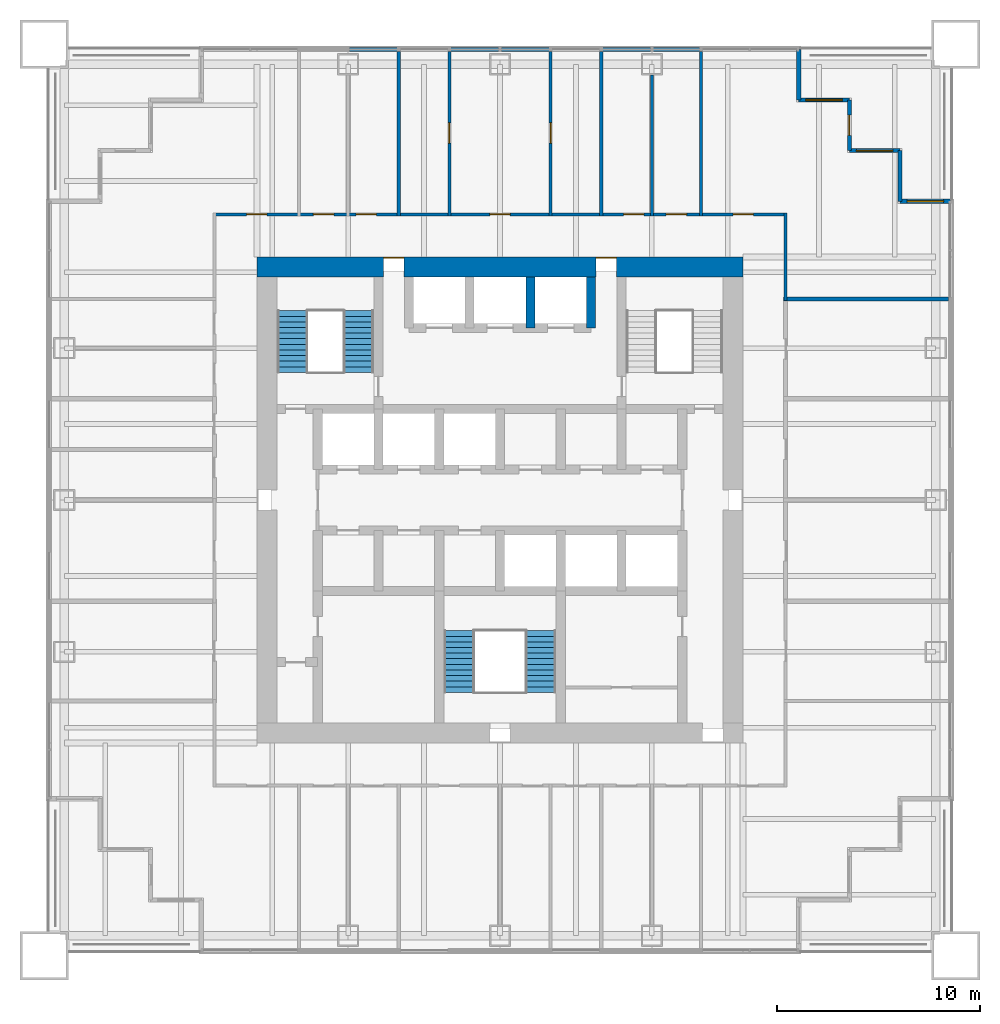
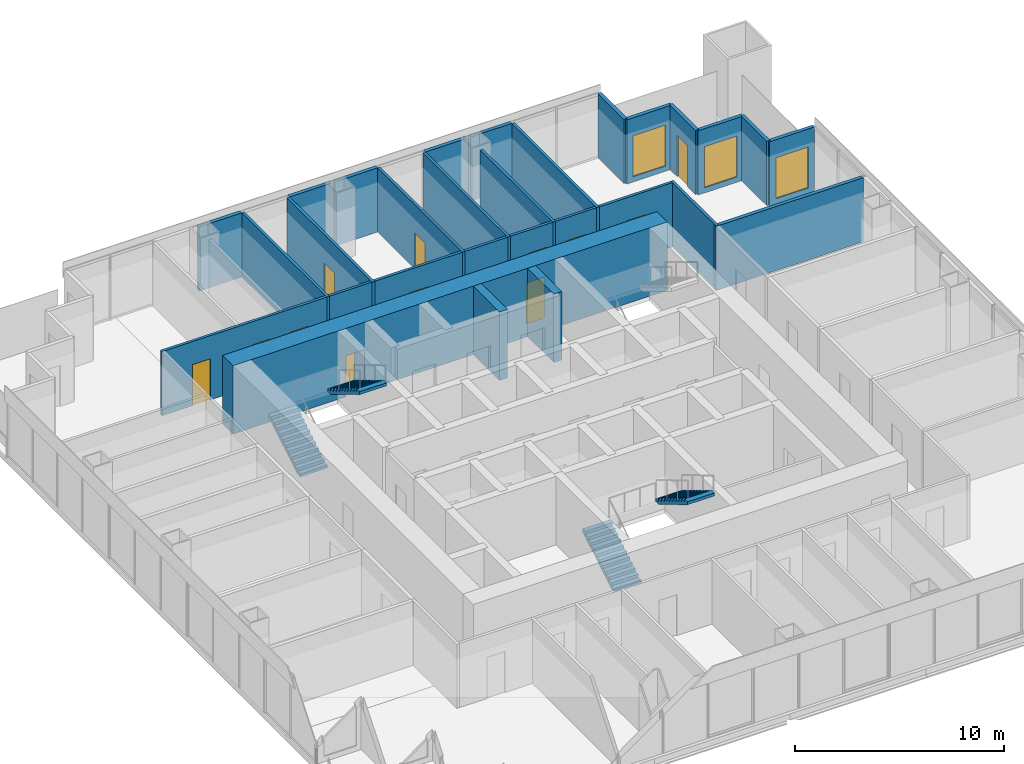
# One storey, part 11 of 14: 23 walls, 12 doors, 4 stair flights, 3 windows, 15 openings, 2 elements without a shape of their own.
"""IFC4 building model written with IfcOpenShell, lengths in metres."""

import ifcopenshell
import ifcopenshell.guid

model = None  # the IFC model being written
_history = None  # IfcOwnerHistory: only IFC2X3 demands one
_inside = {}  # id of a spatial element -> (the spatial element, [elements in it])
_under = {}  # id of a project, library or spatial element -> (it, [spatial elements below it])
_declared = {}  # id of a project -> (the project, [libraries it declares])
_typed = {}  # id of a type object -> (the type object, [elements of that type])
_made_of = {}  # id of a material, layer set ... -> (it, [elements and type objects made of it])


def new_model(schema):
    """Start an empty IFC model of exactly this schema.

    Asked for "IFC4X3", IfcOpenShell would pick the latest addendum, in which some entities
    have other attributes; the version numbers below select the first issue.
    IFC2X3 requires an IfcOwnerHistory on every rooted entity: one is made here for all.
    """
    global model, _history
    if schema == "IFC4X3":
        model = ifcopenshell.file(schema_version=(4, 3, 0, 0))
    else:
        model = ifcopenshell.file(schema=schema)
    _inside.clear()
    _under.clear()
    _declared.clear()
    _typed.clear()
    _made_of.clear()
    _history = None
    if model.schema == "IFC2X3":
        org = make("IfcOrganization", Name="unknown")
        user = make(
            "IfcPersonAndOrganization",
            ThePerson=make("IfcPerson", FamilyName="unknown"),
            TheOrganization=org,
        )
        app = make(
            "IfcApplication",
            ApplicationDeveloper=org,
            Version="unknown",
            ApplicationFullName="unknown",
            ApplicationIdentifier="unknown",
        )
        _history = make(
            "IfcOwnerHistory",
            OwningUser=user,
            OwningApplication=app,
            ChangeAction="ADDED",
            CreationDate=0,
        )
    return model


def make(cls, **values):
    """One entity of the class cls with the attributes given. An attribute that is None is left unset."""
    return model.create_entity(
        cls, **{name: value for name, value in values.items() if value is not None}
    )


def rooted(cls, **values):
    """An entity with a GlobalId (a new one), such as an element, a storey or a relation."""
    return make(cls, GlobalId=ifcopenshell.guid.new(), OwnerHistory=_history, **values)


def si_unit(unit_type, name, prefix=None):
    """IfcSIUnit, for example si_unit("LENGTHUNIT", "METRE", prefix="MILLI")."""
    return make("IfcSIUnit", UnitType=unit_type, Prefix=prefix, Name=name)


def assignment(units):
    """IfcUnitAssignment: the units of a project."""
    return None if units is None else make("IfcUnitAssignment", Units=units)


def point(xyz):
    """IfcCartesianPoint."""
    return None if xyz is None else make("IfcCartesianPoint", Coordinates=xyz)


def direction(xyz):
    """IfcDirection."""
    return None if xyz is None else make("IfcDirection", DirectionRatios=xyz)


def frame(location, z_axis=None, x_axis=None):
    """IfcAxis2Placement3D, a coordinate frame: its origin and axes. An axis left out is left unset."""
    return make(
        "IfcAxis2Placement3D",
        Location=point(location),
        Axis=direction(z_axis),
        RefDirection=direction(x_axis),
    )


def frame_2d(location, x_axis=None):
    """IfcAxis2Placement2D, a coordinate frame in the plane: its origin and x axis."""
    return make(
        "IfcAxis2Placement2D", Location=point(location), RefDirection=direction(x_axis)
    )


def origin():
    """The frame at (0, 0, 0) with its axes left unset."""
    return frame((0.0, 0.0, 0.0))


def place(relative_to, where):
    """IfcLocalPlacement: puts the frame where relative to a parent placement (None: the world)."""
    return make(
        "IfcLocalPlacement", PlacementRelTo=relative_to, RelativePlacement=where
    )


def context(
    kind, dimensions, precision=None, world=None, true_north=None, identifier=None
):
    """IfcGeometricRepresentationContext, for example the 3D "Model" context."""
    return make(
        "IfcGeometricRepresentationContext",
        ContextIdentifier=identifier,
        ContextType=kind,
        CoordinateSpaceDimension=dimensions,
        Precision=precision,
        WorldCoordinateSystem=world,
        TrueNorth=true_north,
    )


def subcontext(parent, identifier, kind, view, scale=None):
    """IfcGeometricRepresentationSubContext, for example "Body" below "Model"."""
    return make(
        "IfcGeometricRepresentationSubContext",
        ContextIdentifier=identifier,
        ContextType=kind,
        ParentContext=parent,
        TargetScale=scale,
        TargetView=view,
    )


def project(units=None, contexts=None):
    """IfcProject with its units and contexts."""
    return rooted(
        "IfcProject",
        Name="project",
        RepresentationContexts=contexts,
        UnitsInContext=assignment(units),
    )


def spatial(cls, under=None, at=None, **own):
    """A site, building, storey or space (cls), placed at a placement, below another one or the project."""
    s = rooted(cls, ObjectPlacement=at, **own)
    if under is not None:
        _under.setdefault(under.id(), (under, []))[1].append(s)
    return s


def polyline(points):
    """IfcPolyline through the points."""
    return make("IfcPolyline", Points=[point(p) for p in points])


def profile(cls, at=None, kind="AREA", **sizes):
    """A parametric profile (cls). Its sizes go by their IFC names, for example OverallWidth=200.0."""
    return make(cls, ProfileType=kind, Position=at, **sizes)


def rectangle(**sizes):
    """IfcRectangleProfileDef."""
    return profile("IfcRectangleProfileDef", **sizes)


def outline(outer, holes=None, kind="AREA"):
    """IfcArbitraryClosedProfileDef: a profile drawn as a closed curve; with holes, ...WithVoids."""
    if holes is None:
        return make("IfcArbitraryClosedProfileDef", ProfileType=kind, OuterCurve=outer)
    return make(
        "IfcArbitraryProfileDefWithVoids",
        ProfileType=kind,
        OuterCurve=outer,
        InnerCurves=holes,
    )


def extrude(swept, where, along, depth):
    """IfcExtrudedAreaSolid: the profile swept, set in the frame where, extruded along a direction by depth."""
    return make(
        "IfcExtrudedAreaSolid",
        SweptArea=swept,
        Position=where,
        ExtrudedDirection=direction(along),
        Depth=depth,
    )


def shape(context_of_items, identifier, shape_type, items):
    """IfcShapeRepresentation: the items that make up one representation, for example the "Body"."""
    return make(
        "IfcShapeRepresentation",
        ContextOfItems=context_of_items,
        RepresentationIdentifier=identifier,
        RepresentationType=shape_type,
        Items=items,
    )


def material(Name=None, Category=None):
    """IfcMaterial."""
    return make("IfcMaterial", Name=Name, Category=Category)


def layer(
    of_material, thickness, ventilated=None, Name=None, Category=None, Priority=None
):
    """IfcMaterialLayer: one layer of a wall or slab, of a material (None: an air gap)."""
    return make(
        "IfcMaterialLayer",
        Material=of_material,
        LayerThickness=thickness,
        IsVentilated=ventilated,
        Name=Name,
        Category=Category,
        Priority=Priority,
    )


def layer_set(layers, Name=None):
    """IfcMaterialLayerSet."""
    return make("IfcMaterialLayerSet", MaterialLayers=layers, LayerSetName=Name)


def made_of(thing, what):
    """Note that an element or type object is made of a material, layer set ...; save() writes the relation."""
    if what is not None:
        _made_of.setdefault(what.id(), (what, []))[1].append(thing)
    return thing


def type_object(cls, material=None, **own):
    """A type object (cls), such as IfcWallType, which elements share."""
    return made_of(rooted(cls, **own), material)


def element(
    cls,
    number,
    at=None,
    inside=None,
    cuts=None,
    type_object=None,
    material=None,
    context=None,
    identifier="Body",
    shape_type=None,
    held_by="IfcProductDefinitionShape",
    body=None,
    shapes=None,
    **own,
):
    """One element of the class cls, such as IfcWall. Its Tag is "e" and its number.

    at: its placement. inside: the storey or other place that contains it. cuts: it is an
    opening in that element (IfcRelVoidsElement). A single representation is given by context,
    identifier, shape_type and body (its items); several are given by shapes. held_by: the class
    of the entity that holds the representations. save() writes the other relations.
    """
    e = rooted(cls, Tag="e%d" % number, ObjectPlacement=at, **own)
    if body is not None:
        shapes = [shape(context, identifier, shape_type, body)]
    if shapes is not None:
        e.Representation = make(held_by, Representations=shapes)
    if inside is not None:
        _inside.setdefault(inside.id(), (inside, []))[1].append(e)
    if cuts is not None:
        rooted(
            "IfcRelVoidsElement", RelatingBuildingElement=cuts, RelatedOpeningElement=e
        )
    if type_object is not None:
        _typed.setdefault(type_object.id(), (type_object, []))[1].append(e)
    return made_of(e, material)


def fill(opening, filler):
    """IfcRelFillsElement: the door or window that sits in an opening."""
    return rooted(
        "IfcRelFillsElement",
        RelatingOpeningElement=opening,
        RelatedBuildingElement=filler,
    )


def aggregate(whole, parts):
    """IfcRelAggregates: a whole, such as a stair, and the parts it consists of."""
    return rooted("IfcRelAggregates", RelatingObject=whole, RelatedObjects=parts)


def save(model, path):
    """Write the relations noted so far, then the file.

    IfcRelAggregates (storeys below a building ...), IfcRelContainedInSpatialStructure (elements
    in a storey), IfcRelDefinesByType, IfcRelAssociatesMaterial and IfcRelDeclares: one each for
    every whole, place, type object, material and project.
    """
    for whole, parts in _under.values():
        aggregate(whole, parts)
    for where, things in _inside.values():
        rooted(
            "IfcRelContainedInSpatialStructure",
            RelatedElements=things,
            RelatingStructure=where,
        )
    for kind, things in _typed.values():
        rooted("IfcRelDefinesByType", RelatedObjects=things, RelatingType=kind)
    for what, things in _made_of.values():
        rooted("IfcRelAssociatesMaterial", RelatedObjects=things, RelatingMaterial=what)
    for by, libraries in _declared.values():
        rooted("IfcRelDeclares", RelatingContext=by, RelatedDefinitions=libraries)
    model.write(path)


model = new_model("IFC4")

# Units and contexts
model_context = context("Model", 3, precision=1e-05, world=origin(), true_north=direction((0.0, 1.0)))
body_context = subcontext(model_context, "Body", "Model", "MODEL_VIEW")
ifc_project = project(units=[si_unit("LENGTHUNIT", "METRE"), si_unit("AREAUNIT", "SQUARE_METRE"), si_unit("VOLUMEUNIT", "CUBIC_METRE"), si_unit("PLANEANGLEUNIT", "RADIAN"), si_unit("MASSUNIT", "GRAM", prefix="KILO")], contexts=[model_context])

# Site, building, storey
site_placement = place(None, origin())
site = spatial("IfcSite", under=ifc_project, at=site_placement, CompositionType="ELEMENT")
building_placement = place(site_placement, origin())
building = spatial("IfcBuilding", under=site, at=building_placement, Name="Tarangal Relay Tower", CompositionType="ELEMENT")
storey_placement = place(building_placement, frame((0.0, 0.0, 249.89990234375)))
storey = spatial("IfcBuildingStorey", under=building, at=storey_placement, Name="L54", CompositionType="ELEMENT", Elevation=249.89990234375)

# Walls
ifc_material_1 = material(Name="Two layers gypsum board each side on twin steel studs, mineral wool", Category="steel")
ifc_layer_1 = layer(ifc_material_1, 0.199951171875)
ifc_layer_set_1 = layer_set([ifc_layer_1], Name="Acoustic partition 200")
wall_type_1 = type_object("IfcWallType", Name="Acoustic partition 200", PredefinedType="PARTITIONING", material=ifc_layer_set_1)
wall_1_placement = place(storey_placement, frame((14.0, 9.9169921875, 0.0), z_axis=(0.0, 0.0, 1.0), x_axis=(1.0, 0.0, 0.0)))
element("IfcWall", 1, at=wall_1_placement, inside=storey, type_object=wall_type_1, Name="Partition PT2 L54", PredefinedType="PARTITIONING", context=body_context, shape_type="SweptSolid", body=[
    extrude(rectangle(XDim=8.14990234375, YDim=0.199951171875, at=frame_2d((4.074951171875, 0.0))), origin(), (0.0, 0.0, 1.0), 3.75),
])
ifc_material_2 = material(Name="Concrete fc' 60 MPa", Category="concrete")
ifc_layer_2 = layer(ifc_material_2, 0.449951171875)
ifc_layer_set_2 = layer_set([ifc_layer_2], Name="Core inner wall 450")
wall_type_2 = type_object("IfcWallType", Name="Core inner wall 450", PredefinedType="SHEAR", material=ifc_layer_set_2)
for number, where, z_axis, x_axis, name in (
    (2, (4.5, 8.5, 0.0), (0.0, 0.0, 1.0), (0.0, 1.0, 0.0), "Core wall X45 L54"),
    (3, (1.5, 8.5, 0.0), (0.0, 0.0, 1.0), (0.0, 1.0, 0.0), "Core wall X15 L54"),
):
    element("IfcWall", number, at=place(storey_placement, frame(where, z_axis=z_axis, x_axis=x_axis)), inside=storey, type_object=wall_type_2, Name=name, PredefinedType="SHEAR", context=body_context, shape_type="SweptSolid", body=[
        extrude(rectangle(XDim=2.5, YDim=0.449951171875, at=frame_2d((1.25, 0.0))), origin(), (0.0, 0.0, 1.0), 4.0),
    ])

# Wall, openings, doors
ifc_layer_3 = layer(ifc_material_2, 1.0)
ifc_layer_set_3 = layer_set([ifc_layer_3], Name="Core wall 1000")
wall_type_3 = type_object("IfcWallType", Name="Core wall 1000", PredefinedType="SHEAR", material=ifc_layer_set_3)
wall_2_placement = place(storey_placement, frame((-12.0, 11.5, 0.0), z_axis=(0.0, 0.0, 1.0), x_axis=(1.0, 0.0, 0.0)))
wall_2 = element("IfcWall", 4, at=wall_2_placement, inside=storey, type_object=wall_type_3, Name="Core wall N L54", PredefinedType="SHEAR", context=body_context, shape_type="SweptSolid", body=[
    extrude(rectangle(XDim=24.0, YDim=1.0, at=frame_2d((12.0, 0.0))), origin(), (0.0, 0.0, 1.0), 4.0),
])
opening_1_placement = place(wall_2_placement, frame((6.25, 0.0, 0.0)))
opening_1 = element("IfcOpeningElement", 5, at=opening_1_placement, cuts=wall_2, Name="Opening FD3", PredefinedType="OPENING", context=body_context, shape_type="SweptSolid", body=[
    extrude(rectangle(XDim=1.0, YDim=2.39990234375, at=frame_2d((0.5, 1.199951171875))), frame((0.0, 0.510009765625, 0.0), z_axis=(0.0, -1.0, 0.0), x_axis=(1.0, 0.0, 0.0)), (0.0, 0.0, 1.0), 1.02001953125),
])
opening_2_placement = place(wall_2_placement, frame((16.75, 0.0, 0.0)))
opening_2 = element("IfcOpeningElement", 6, at=opening_2_placement, cuts=wall_2, Name="Opening FD3", PredefinedType="OPENING", context=body_context, shape_type="SweptSolid", body=[
    extrude(rectangle(XDim=1.0, YDim=2.39990234375, at=frame_2d((0.5, 1.199951171875))), frame((0.0, 0.510009765625, 0.0), z_axis=(0.0, -1.0, 0.0), x_axis=(1.0, 0.0, 0.0)), (0.0, 0.0, 1.0), 1.02001953125),
])
ifc_material_3 = material(Name="Steel door with hardwood frame", Category="steel")
door_type_1 = type_object("IfcDoorType", Name="Fire door 1000 x 2400 core entry", OperationType="SINGLE_SWING_RIGHT", PredefinedType="DOOR", material=ifc_material_3)
door_1_placement = place(opening_1_placement, origin())
door_1 = element("IfcDoor", 7, at=door_1_placement, inside=storey, type_object=door_type_1, Name="Core entry door north west L54", OperationType="SINGLE_SWING_RIGHT", OverallHeight=2.39990234375, OverallWidth=1.0, PredefinedType="DOOR", context=body_context, shape_type="SweptSolid", body=[
    extrude(rectangle(XDim=1.0, YDim=2.39990234375, at=frame_2d((0.5, 1.199951171875))), frame((0.0, 0.48486328125, 0.0), z_axis=(0.0, -1.0, 0.0), x_axis=(1.0, 0.0, 0.0)), (0.0, 0.0, 1.0), 0.050048828125),
])
fill(opening_1, door_1)
door_2_placement = place(opening_2_placement, origin())
door_2 = element("IfcDoor", 8, at=door_2_placement, inside=storey, type_object=door_type_1, Name="Core entry door north east L54", OperationType="SINGLE_SWING_RIGHT", OverallHeight=2.39990234375, OverallWidth=1.0, PredefinedType="DOOR", context=body_context, shape_type="SweptSolid", body=[
    extrude(rectangle(XDim=1.0, YDim=2.39990234375, at=frame_2d((0.5, 1.199951171875))), frame((0.0, 0.48486328125, 0.0), z_axis=(0.0, -1.0, 0.0), x_axis=(1.0, 0.0, 0.0)), (0.0, 0.0, 1.0), 0.050048828125),
])
fill(opening_2, door_2)

# Wall
ifc_material_4 = material(Name="Black metal clad insulated wall", Category="steel")
ifc_layer_4 = layer(ifc_material_4, 0.199951171875)
ifc_layer_set_4 = layer_set([ifc_layer_4], Name="Corner wall metal clad 200")
wall_type_4 = type_object("IfcWallType", Name="Corner wall metal clad 200", PredefinedType="SOLIDWALL", material=ifc_layer_set_4)
wall_3_placement = place(storey_placement, frame((14.75, 22.25, 0.0), z_axis=(0.0, 0.0, 1.0), x_axis=(0.0, -1.0, 0.0)))
element("IfcWall", 9, at=wall_3_placement, inside=storey, type_object=wall_type_4, Name="Facade wall N facade L54", PredefinedType="SOLIDWALL", context=body_context, shape_type="SweptSolid", body=[
    extrude(rectangle(XDim=2.5, YDim=0.199951171875, at=frame_2d((1.25, 0.0))), origin(), (0.0, 0.0, 1.0), 3.75),
])

# Wall, opening, window
wall_4_placement = place(storey_placement, frame((14.75, 19.75, 0.0), z_axis=(0.0, 0.0, 1.0), x_axis=(1.0, 0.0, 0.0)))
wall_4 = element("IfcWall", 10, at=wall_4_placement, inside=storey, type_object=wall_type_4, Name="Facade wall N facade L54", PredefinedType="SOLIDWALL", context=body_context, shape_type="SweptSolid", body=[
    extrude(rectangle(XDim=2.5, YDim=0.199951171875, at=frame_2d((1.25, 0.0))), origin(), (0.0, 0.0, 1.0), 3.75),
])
opening_3_placement = place(wall_4_placement, frame((0.35009765625, 0.0, 0.300048828125)))
opening_3 = element("IfcOpeningElement", 11, at=opening_3_placement, cuts=wall_4, Name="Opening WN2", PredefinedType="OPENING", context=body_context, shape_type="SweptSolid", body=[
    extrude(rectangle(XDim=1.800048828125, YDim=2.39990234375, at=frame_2d((0.89990234375, 1.199951171875))), frame((0.0, 0.10986328125, 0.0), z_axis=(0.0, -1.0, 0.0), x_axis=(1.0, 0.0, 0.0)), (0.0, 0.0, 1.0), 0.219970703125),
])
ifc_material_5 = material(Name="Dark tinted double glazing in black aluminium frame", Category="aluminium")
window_type = type_object("IfcWindowType", Name="Corner window 1800 x 2400", PartitioningType="SINGLE_PANEL", PredefinedType="WINDOW", material=ifc_material_5)
window_1_placement = place(opening_3_placement, origin())
window_1 = element("IfcWindow", 12, at=window_1_placement, inside=storey, type_object=window_type, Name="Corner window WN2 N facade L54", OverallHeight=2.39990234375, OverallWidth=1.800048828125, PartitioningType="SINGLE_PANEL", PredefinedType="WINDOW", context=body_context, shape_type="SweptSolid", body=[
    extrude(rectangle(XDim=1.800048828125, YDim=2.39990234375, at=frame_2d((0.89990234375, 1.199951171875))), frame((0.0, 0.030029296875, 0.0), z_axis=(0.0, -1.0, 0.0), x_axis=(1.0, 0.0, 0.0)), (0.0, 0.0, 1.0), 0.06005859375),
])
fill(opening_3, window_1)

# Wall, opening, door
wall_5_placement = place(storey_placement, frame((17.25, 19.75, 0.0), z_axis=(0.0, 0.0, 1.0), x_axis=(0.0, -1.0, 0.0)))
wall_5 = element("IfcWall", 13, at=wall_5_placement, inside=storey, type_object=wall_type_4, Name="Facade wall N facade L54", PredefinedType="SOLIDWALL", context=body_context, shape_type="SweptSolid", body=[
    extrude(rectangle(XDim=2.5, YDim=0.199951171875, at=frame_2d((1.25, 0.0))), origin(), (0.0, 0.0, 1.0), 3.75),
])
opening_4_placement = place(wall_5_placement, frame((0.75, 0.0, 0.0)))
opening_4 = element("IfcOpeningElement", 14, at=opening_4_placement, cuts=wall_5, Name="Opening TD1", PredefinedType="OPENING", context=body_context, shape_type="SweptSolid", body=[
    extrude(rectangle(XDim=1.0, YDim=2.39990234375, at=frame_2d((0.5, 1.199951171875))), frame((0.0, 0.10986328125, 0.0), z_axis=(0.0, -1.0, 0.0), x_axis=(1.0, 0.0, 0.0)), (0.0, 0.0, 1.0), 0.219970703125),
])
ifc_material_6 = material(Name="Aluminium glazed door", Category="aluminium")
door_type_2 = type_object("IfcDoorType", Name="Terrace door 1000 x 2400", OperationType="SINGLE_SWING_RIGHT", PredefinedType="DOOR", material=ifc_material_6)
door_3_placement = place(opening_4_placement, origin())
door_3 = element("IfcDoor", 15, at=door_3_placement, inside=storey, type_object=door_type_2, Name="Terrace door TD1 NE L54", OperationType="SINGLE_SWING_RIGHT", OverallHeight=2.39990234375, OverallWidth=1.0, PredefinedType="DOOR", context=body_context, shape_type="SweptSolid", body=[
    extrude(rectangle(XDim=1.0, YDim=2.39990234375, at=frame_2d((0.5, 1.199951171875))), frame((0.0, 0.02490234375, 0.0), z_axis=(0.0, -1.0, 0.0), x_axis=(1.0, 0.0, 0.0)), (0.0, 0.0, 1.0), 0.050048828125),
])
fill(opening_4, door_3)

# Wall, opening, window
wall_6_placement = place(storey_placement, frame((17.25, 17.25, 0.0), z_axis=(0.0, 0.0, 1.0), x_axis=(1.0, 0.0, 0.0)))
wall_6 = element("IfcWall", 16, at=wall_6_placement, inside=storey, type_object=wall_type_4, Name="Facade wall N facade L54", PredefinedType="SOLIDWALL", context=body_context, shape_type="SweptSolid", body=[
    extrude(rectangle(XDim=2.5, YDim=0.199951171875, at=frame_2d((1.25, 0.0))), origin(), (0.0, 0.0, 1.0), 3.75),
])
opening_5_placement = place(wall_6_placement, frame((0.35009765625, 0.0, 0.300048828125)))
opening_5 = element("IfcOpeningElement", 17, at=opening_5_placement, cuts=wall_6, Name="Opening WN2", PredefinedType="OPENING", context=body_context, shape_type="SweptSolid", body=[
    extrude(rectangle(XDim=1.800048828125, YDim=2.39990234375, at=frame_2d((0.89990234375, 1.199951171875))), frame((0.0, 0.10986328125, 0.0), z_axis=(0.0, -1.0, 0.0), x_axis=(1.0, 0.0, 0.0)), (0.0, 0.0, 1.0), 0.219970703125),
])
window_2_placement = place(opening_5_placement, origin())
window_2 = element("IfcWindow", 18, at=window_2_placement, inside=storey, type_object=window_type, Name="Corner window WN2 N facade L54", OverallHeight=2.39990234375, OverallWidth=1.800048828125, PartitioningType="SINGLE_PANEL", PredefinedType="WINDOW", context=body_context, shape_type="SweptSolid", body=[
    extrude(rectangle(XDim=1.800048828125, YDim=2.39990234375, at=frame_2d((0.89990234375, 1.199951171875))), frame((0.0, 0.030029296875, 0.0), z_axis=(0.0, -1.0, 0.0), x_axis=(1.0, 0.0, 0.0)), (0.0, 0.0, 1.0), 0.06005859375),
])
fill(opening_5, window_2)

# Wall
wall_7_placement = place(storey_placement, frame((19.75, 17.25, 0.0), z_axis=(0.0, 0.0, 1.0), x_axis=(0.0, -1.0, 0.0)))
element("IfcWall", 19, at=wall_7_placement, inside=storey, type_object=wall_type_4, Name="Facade wall N facade L54", PredefinedType="SOLIDWALL", context=body_context, shape_type="SweptSolid", body=[
    extrude(rectangle(XDim=2.5, YDim=0.199951171875, at=frame_2d((1.25, 0.0))), origin(), (0.0, 0.0, 1.0), 3.75),
])

# Wall, opening, window
wall_8_placement = place(storey_placement, frame((19.75, 14.75, 0.0), z_axis=(0.0, 0.0, 1.0), x_axis=(1.0, 0.0, 0.0)))
wall_8 = element("IfcWall", 20, at=wall_8_placement, inside=storey, type_object=wall_type_4, Name="Facade wall N facade L54", PredefinedType="SOLIDWALL", context=body_context, shape_type="SweptSolid", body=[
    extrude(rectangle(XDim=2.5, YDim=0.199951171875, at=frame_2d((1.25, 0.0))), origin(), (0.0, 0.0, 1.0), 3.75),
])
opening_6_placement = place(wall_8_placement, frame((0.35009765625, 0.0, 0.300048828125)))
opening_6 = element("IfcOpeningElement", 21, at=opening_6_placement, cuts=wall_8, Name="Opening WN2", PredefinedType="OPENING", context=body_context, shape_type="SweptSolid", body=[
    extrude(rectangle(XDim=1.800048828125, YDim=2.39990234375, at=frame_2d((0.89990234375, 1.199951171875))), frame((0.0, 0.10986328125, 0.0), z_axis=(0.0, -1.0, 0.0), x_axis=(1.0, 0.0, 0.0)), (0.0, 0.0, 1.0), 0.219970703125),
])
window_3_placement = place(opening_6_placement, origin())
window_3 = element("IfcWindow", 22, at=window_3_placement, inside=storey, type_object=window_type, Name="Corner window WN2 N facade L54", OverallHeight=2.39990234375, OverallWidth=1.800048828125, PartitioningType="SINGLE_PANEL", PredefinedType="WINDOW", context=body_context, shape_type="SweptSolid", body=[
    extrude(rectangle(XDim=1.800048828125, YDim=2.39990234375, at=frame_2d((0.89990234375, 1.199951171875))), frame((0.0, 0.030029296875, 0.0), z_axis=(0.0, -1.0, 0.0), x_axis=(1.0, 0.0, 0.0)), (0.0, 0.0, 1.0), 0.06005859375),
])
fill(opening_6, window_3)

# Walls
ifc_layer_5 = layer(ifc_material_4, 0.199951171875)
ifc_layer_set_5 = layer_set([ifc_layer_5], Name="Facade infill wall metal clad 200")
wall_type_5 = type_object("IfcWallType", Name="Facade infill wall metal clad 200", PredefinedType="SOLIDWALL", material=ifc_layer_set_5)
for number, where, z_axis, x_axis, name in (
    (23, (-7.43505859375, 22.25, 0.0), (0.0, 0.0, 1.0), (1.0, 0.0, 0.0), "Facade infill wall N facade L54 1.1"),
    (24, (-2.43505859375, 22.25, 0.0), (0.0, 0.0, 1.0), (1.0, 0.0, 0.0), "Facade infill wall N facade L54 1.1"),
    (25, (0.06494140625, 22.25, 0.0), (0.0, 0.0, 1.0), (1.0, 0.0, 0.0), "Facade infill wall N facade L54 1.1"),
    (26, (5.06494140625, 22.25, 0.0), (0.0, 0.0, 1.0), (1.0, 0.0, 0.0), "Facade infill wall N facade L54 1.1"),
):
    element("IfcWall", number, at=place(storey_placement, frame(where, z_axis=z_axis, x_axis=x_axis)), inside=storey, type_object=wall_type_5, Name=name, PredefinedType="SOLIDWALL", context=body_context, shape_type="SweptSolid", body=[
        extrude(rectangle(XDim=2.3701171875, YDim=0.199951171875, at=frame_2d((1.18505859375, 0.0))), origin(), (0.0, 0.0, 1.0), 3.75),
    ])
wall_9_placement = place(storey_placement, frame((7.56494140625, 22.25, 0.0), z_axis=(0.0, 0.0, 1.0), x_axis=(1.0, 0.0, 0.0)))
element("IfcWall", 27, at=wall_9_placement, inside=storey, type_object=wall_type_5, Name="Facade infill wall N facade L54 1.1", PredefinedType="SOLIDWALL", context=body_context, shape_type="SweptSolid", body=[
    extrude(rectangle(XDim=2.286865234375, YDim=0.199951171875, at=frame_2d((1.1435546875, 0.0))), origin(), (0.0, 0.0, 1.0), 3.75),
])

# Wall, openings, doors
ifc_material_7 = material(Name="Gypsum board on steel studs", Category="steel")
ifc_layer_6 = layer(ifc_material_7, 0.14990234375)
ifc_layer_set_6 = layer_set([ifc_layer_6], Name="Partition 150")
wall_type_6 = type_object("IfcWallType", Name="Partition 150", PredefinedType="PARTITIONING", material=ifc_layer_set_6)
wall_10_placement = place(storey_placement, frame((-14.175048828125, 14.10009765625, 0.0), z_axis=(0.0, 0.0, 1.0), x_axis=(1.0, 0.0, 0.0)))
wall_10 = element("IfcWall", 28, at=wall_10_placement, inside=storey, type_object=wall_type_6, Name="Partition PT1 L54", PredefinedType="PARTITIONING", context=body_context, shape_type="SweptSolid", body=[
    extrude(rectangle(XDim=28.35009765625, YDim=0.14990234375, at=frame_2d((14.175048828125, 0.0))), origin(), (0.0, 0.0, 1.0), 3.75),
])
opening_7_placement = place(wall_10_placement, frame((4.966552734375, 0.0, 0.0)))
opening_7 = element("IfcOpeningElement", 29, at=opening_7_placement, cuts=wall_10, Name="Opening SD1", PredefinedType="OPENING", context=body_context, shape_type="SweptSolid", body=[
    extrude(rectangle(XDim=1.0, YDim=2.39990234375, at=frame_2d((0.5, 1.199951171875))), frame((0.0, 0.0849609375, 0.0), z_axis=(0.0, -1.0, 0.0), x_axis=(1.0, 0.0, 0.0)), (0.0, 0.0, 1.0), 0.169921875),
])
opening_8_placement = place(wall_10_placement, frame((7.074951171875, 0.0, 0.0)))
opening_8 = element("IfcOpeningElement", 30, at=opening_8_placement, cuts=wall_10, Name="Opening SD1", PredefinedType="OPENING", context=body_context, shape_type="SweptSolid", body=[
    extrude(rectangle(XDim=1.0, YDim=2.39990234375, at=frame_2d((0.5, 1.199951171875))), frame((0.0, 0.0849609375, 0.0), z_axis=(0.0, -1.0, 0.0), x_axis=(1.0, 0.0, 0.0)), (0.0, 0.0, 1.0), 0.169921875),
])
opening_9_placement = place(wall_10_placement, frame((13.675048828125, 0.0, 0.0)))
opening_9 = element("IfcOpeningElement", 31, at=opening_9_placement, cuts=wall_10, Name="Opening SD1", PredefinedType="OPENING", context=body_context, shape_type="SweptSolid", body=[
    extrude(rectangle(XDim=1.0, YDim=2.39990234375, at=frame_2d((0.5, 1.199951171875))), frame((0.0, 0.0849609375, 0.0), z_axis=(0.0, -1.0, 0.0), x_axis=(1.0, 0.0, 0.0)), (0.0, 0.0, 1.0), 0.169921875),
])
opening_10_placement = place(wall_10_placement, frame((20.27490234375, 0.0, 0.0)))
opening_10 = element("IfcOpeningElement", 32, at=opening_10_placement, cuts=wall_10, Name="Opening SD1", PredefinedType="OPENING", context=body_context, shape_type="SweptSolid", body=[
    extrude(rectangle(XDim=1.0, YDim=2.39990234375, at=frame_2d((0.5, 1.199951171875))), frame((0.0, 0.0849609375, 0.0), z_axis=(0.0, -1.0, 0.0), x_axis=(1.0, 0.0, 0.0)), (0.0, 0.0, 1.0), 0.169921875),
])
opening_11_placement = place(wall_10_placement, frame((22.383544921875, 0.0, 0.0)))
opening_11 = element("IfcOpeningElement", 33, at=opening_11_placement, cuts=wall_10, Name="Opening SD1", PredefinedType="OPENING", context=body_context, shape_type="SweptSolid", body=[
    extrude(rectangle(XDim=1.0, YDim=2.39990234375, at=frame_2d((0.5, 1.199951171875))), frame((0.0, 0.0849609375, 0.0), z_axis=(0.0, -1.0, 0.0), x_axis=(1.0, 0.0, 0.0)), (0.0, 0.0, 1.0), 0.169921875),
])
opening_12_placement = place(wall_10_placement, frame((25.68359375, 0.0, 0.0)))
opening_12 = element("IfcOpeningElement", 34, at=opening_12_placement, cuts=wall_10, Name="Opening SD1", PredefinedType="OPENING", context=body_context, shape_type="SweptSolid", body=[
    extrude(rectangle(XDim=1.0, YDim=2.39990234375, at=frame_2d((0.5, 1.199951171875))), frame((0.0, 0.0849609375, 0.0), z_axis=(0.0, -1.0, 0.0), x_axis=(1.0, 0.0, 0.0)), (0.0, 0.0, 1.0), 0.169921875),
])
opening_13_placement = place(wall_10_placement, frame((1.66650390625, 0.0, 0.0)))
opening_13 = element("IfcOpeningElement", 35, at=opening_13_placement, cuts=wall_10, Name="Opening SD1", PredefinedType="OPENING", context=body_context, shape_type="SweptSolid", body=[
    extrude(rectangle(XDim=1.0, YDim=2.39990234375, at=frame_2d((0.5, 1.199951171875))), frame((0.0, 0.0849609375, 0.0), z_axis=(0.0, -1.0, 0.0), x_axis=(1.0, 0.0, 0.0)), (0.0, 0.0, 1.0), 0.169921875),
])
door_type_3 = type_object("IfcDoorType", Name="Suite entrance door 1000 x 2400", OperationType="SINGLE_SWING_RIGHT", PredefinedType="DOOR", material=ifc_material_3)
door_4_placement = place(opening_7_placement, origin())
door_4 = element("IfcDoor", 36, at=door_4_placement, inside=storey, type_object=door_type_3, Name="Door SD1 to executive office L54-02", OperationType="SINGLE_SWING_RIGHT", OverallHeight=2.39990234375, OverallWidth=1.0, PredefinedType="DOOR", context=body_context, shape_type="SweptSolid", body=[
    extrude(rectangle(XDim=1.0, YDim=2.39990234375, at=frame_2d((0.5, 1.199951171875))), frame((0.0, 0.02490234375, 0.0), z_axis=(0.0, -1.0, 0.0), x_axis=(1.0, 0.0, 0.0)), (0.0, 0.0, 1.0), 0.050048828125),
])
fill(opening_7, door_4)
door_5_placement = place(opening_8_placement, origin())
door_5 = element("IfcDoor", 37, at=door_5_placement, inside=storey, type_object=door_type_3, Name="Door SD1 to executive office L54-03", OperationType="SINGLE_SWING_RIGHT", OverallHeight=2.39990234375, OverallWidth=1.0, PredefinedType="DOOR", context=body_context, shape_type="SweptSolid", body=[
    extrude(rectangle(XDim=1.0, YDim=2.39990234375, at=frame_2d((0.5, 1.199951171875))), frame((0.0, 0.02490234375, 0.0), z_axis=(0.0, -1.0, 0.0), x_axis=(1.0, 0.0, 0.0)), (0.0, 0.0, 1.0), 0.050048828125),
])
fill(opening_8, door_5)
door_6_placement = place(opening_9_placement, origin())
door_6 = element("IfcDoor", 38, at=door_6_placement, inside=storey, type_object=door_type_3, Name="Door SD1 to reception L54-05", OperationType="SINGLE_SWING_RIGHT", OverallHeight=2.39990234375, OverallWidth=1.0, PredefinedType="DOOR", context=body_context, shape_type="SweptSolid", body=[
    extrude(rectangle(XDim=1.0, YDim=2.39990234375, at=frame_2d((0.5, 1.199951171875))), frame((0.0, 0.02490234375, 0.0), z_axis=(0.0, -1.0, 0.0), x_axis=(1.0, 0.0, 0.0)), (0.0, 0.0, 1.0), 0.050048828125),
])
fill(opening_9, door_6)
door_7_placement = place(opening_10_placement, origin())
door_7 = element("IfcDoor", 39, at=door_7_placement, inside=storey, type_object=door_type_3, Name="Door SD1 to executive office L54-07", OperationType="SINGLE_SWING_RIGHT", OverallHeight=2.39990234375, OverallWidth=1.0, PredefinedType="DOOR", context=body_context, shape_type="SweptSolid", body=[
    extrude(rectangle(XDim=1.0, YDim=2.39990234375, at=frame_2d((0.5, 1.199951171875))), frame((0.0, 0.02490234375, 0.0), z_axis=(0.0, -1.0, 0.0), x_axis=(1.0, 0.0, 0.0)), (0.0, 0.0, 1.0), 0.050048828125),
])
fill(opening_10, door_7)
door_8_placement = place(opening_11_placement, origin())
door_8 = element("IfcDoor", 40, at=door_8_placement, inside=storey, type_object=door_type_3, Name="Door SD1 to executive office L54-08", OperationType="SINGLE_SWING_RIGHT", OverallHeight=2.39990234375, OverallWidth=1.0, PredefinedType="DOOR", context=body_context, shape_type="SweptSolid", body=[
    extrude(rectangle(XDim=1.0, YDim=2.39990234375, at=frame_2d((0.5, 1.199951171875))), frame((0.0, 0.02490234375, 0.0), z_axis=(0.0, -1.0, 0.0), x_axis=(1.0, 0.0, 0.0)), (0.0, 0.0, 1.0), 0.050048828125),
])
fill(opening_11, door_8)
door_9_placement = place(opening_12_placement, origin())
door_9 = element("IfcDoor", 41, at=door_9_placement, inside=storey, type_object=door_type_3, Name="Door SD1 to chairman's office L54-26", OperationType="SINGLE_SWING_RIGHT", OverallHeight=2.39990234375, OverallWidth=1.0, PredefinedType="DOOR", context=body_context, shape_type="SweptSolid", body=[
    extrude(rectangle(XDim=1.0, YDim=2.39990234375, at=frame_2d((0.5, 1.199951171875))), frame((0.0, 0.02490234375, 0.0), z_axis=(0.0, -1.0, 0.0), x_axis=(1.0, 0.0, 0.0)), (0.0, 0.0, 1.0), 0.050048828125),
])
fill(opening_12, door_9)
door_10_placement = place(opening_13_placement, origin())
door_10 = element("IfcDoor", 42, at=door_10_placement, inside=storey, type_object=door_type_3, Name="Door SD1 to open plan office L54-29", OperationType="SINGLE_SWING_RIGHT", OverallHeight=2.39990234375, OverallWidth=1.0, PredefinedType="DOOR", context=body_context, shape_type="SweptSolid", body=[
    extrude(rectangle(XDim=1.0, YDim=2.39990234375, at=frame_2d((0.5, 1.199951171875))), frame((0.0, 0.02490234375, 0.0), z_axis=(0.0, -1.0, 0.0), x_axis=(1.0, 0.0, 0.0)), (0.0, 0.0, 1.0), 0.050048828125),
])
fill(opening_13, door_10)

# Wall
wall_11_placement = place(storey_placement, frame((-5.0, 14.02490234375, 0.0), z_axis=(0.0, 0.0, 1.0), x_axis=(0.0, 1.0, 0.0)))
element("IfcWall", 43, at=wall_11_placement, inside=storey, type_object=wall_type_6, Name="Partition PT1 L54", PredefinedType="PARTITIONING", context=body_context, shape_type="SweptSolid", body=[
    extrude(rectangle(XDim=8.125, YDim=0.14990234375, at=frame_2d((4.0625, 0.0))), origin(), (0.0, 0.0, 1.0), 3.75),
])

# Wall, opening, door
wall_12_placement = place(storey_placement, frame((-2.5, 14.02490234375, 0.0), z_axis=(0.0, 0.0, 1.0), x_axis=(0.0, 1.0, 0.0)))
wall_12 = element("IfcWall", 44, at=wall_12_placement, inside=storey, type_object=wall_type_6, Name="Partition PT1 L54", PredefinedType="PARTITIONING", context=body_context, shape_type="SweptSolid", body=[
    extrude(rectangle(XDim=8.125, YDim=0.14990234375, at=frame_2d((4.0625, 0.0))), origin(), (0.0, 0.0, 1.0), 3.75),
])
opening_14_placement = place(wall_12_placement, frame((3.60009765625, 0.0, 0.0)))
opening_14 = element("IfcOpeningElement", 45, at=opening_14_placement, cuts=wall_12, Name="Opening D2", PredefinedType="OPENING", context=body_context, shape_type="SweptSolid", body=[
    extrude(rectangle(XDim=1.0, YDim=2.10009765625, at=frame_2d((0.5, 1.050048828125))), frame((0.0, 0.0849609375, 0.0), z_axis=(0.0, -1.0, 0.0), x_axis=(1.0, 0.0, 0.0)), (0.0, 0.0, 1.0), 0.169921875),
])
ifc_material_8 = material(Name="Hardwood door", Category="wood")
door_type_4 = type_object("IfcDoorType", Name="Door 1000 x 2100", OperationType="SINGLE_SWING_LEFT", PredefinedType="DOOR", material=ifc_material_8)
door_11_placement = place(opening_14_placement, origin())
door_11 = element("IfcDoor", 46, at=door_11_placement, inside=storey, type_object=door_type_4, Name="Door D2 to executive office L54-04", OperationType="SINGLE_SWING_LEFT", OverallHeight=2.10009765625, OverallWidth=1.0, PredefinedType="DOOR", context=body_context, shape_type="SweptSolid", body=[
    extrude(rectangle(XDim=1.0, YDim=2.10009765625, at=frame_2d((0.5, 1.050048828125))), frame((0.0, 0.02490234375, 0.0), z_axis=(0.0, -1.0, 0.0), x_axis=(1.0, 0.0, 0.0)), (0.0, 0.0, 1.0), 0.050048828125),
])
fill(opening_14, door_11)

wall_13_placement = place(storey_placement, frame((2.5, 14.02490234375, 0.0), z_axis=(0.0, 0.0, 1.0), x_axis=(0.0, 1.0, 0.0)))
wall_13 = element("IfcWall", 47, at=wall_13_placement, inside=storey, type_object=wall_type_6, Name="Partition PT1 L54", PredefinedType="PARTITIONING", context=body_context, shape_type="SweptSolid", body=[
    extrude(rectangle(XDim=8.125, YDim=0.14990234375, at=frame_2d((4.0625, 0.0))), origin(), (0.0, 0.0, 1.0), 3.75),
])
opening_15_placement = place(wall_13_placement, frame((3.60009765625, 0.0, 0.0)))
opening_15 = element("IfcOpeningElement", 48, at=opening_15_placement, cuts=wall_13, Name="Opening D2", PredefinedType="OPENING", context=body_context, shape_type="SweptSolid", body=[
    extrude(rectangle(XDim=1.0, YDim=2.10009765625, at=frame_2d((0.5, 1.050048828125))), frame((0.0, 0.0849609375, 0.0), z_axis=(0.0, -1.0, 0.0), x_axis=(1.0, 0.0, 0.0)), (0.0, 0.0, 1.0), 0.169921875),
])
door_12_placement = place(opening_15_placement, origin())
door_12 = element("IfcDoor", 49, at=door_12_placement, inside=storey, type_object=door_type_4, Name="Door D2 to executive office L54-06", OperationType="SINGLE_SWING_LEFT", OverallHeight=2.10009765625, OverallWidth=1.0, PredefinedType="DOOR", context=body_context, shape_type="SweptSolid", body=[
    extrude(rectangle(XDim=1.0, YDim=2.10009765625, at=frame_2d((0.5, 1.050048828125))), frame((0.0, 0.02490234375, 0.0), z_axis=(0.0, -1.0, 0.0), x_axis=(1.0, 0.0, 0.0)), (0.0, 0.0, 1.0), 0.050048828125),
])
fill(opening_15, door_12)

# Walls
wall_14_placement = place(storey_placement, frame((5.0, 14.02490234375, 0.0), z_axis=(0.0, 0.0, 1.0), x_axis=(0.0, 1.0, 0.0)))
element("IfcWall", 50, at=wall_14_placement, inside=storey, type_object=wall_type_6, Name="Partition PT1 L54", PredefinedType="PARTITIONING", context=body_context, shape_type="SweptSolid", body=[
    extrude(rectangle(XDim=8.125, YDim=0.14990234375, at=frame_2d((4.0625, 0.0))), origin(), (0.0, 0.0, 1.0), 3.75),
])
wall_15_placement = place(storey_placement, frame((7.5, 14.02490234375, 0.0), z_axis=(0.0, 0.0, 1.0), x_axis=(0.0, 1.0, 0.0)))
element("IfcWall", 51, at=wall_15_placement, inside=storey, type_object=wall_type_6, Name="Partition PT1 L54", PredefinedType="PARTITIONING", context=body_context, shape_type="SweptSolid", body=[
    extrude(rectangle(XDim=6.965087890625, YDim=0.14990234375, at=frame_2d((3.482421875, 0.0))), origin(), (0.0, 0.0, 1.0), 3.75),
])
wall_16_placement = place(storey_placement, frame((9.9169921875, 14.02490234375, 0.0), z_axis=(0.0, 0.0, 1.0), x_axis=(0.0, 1.0, 0.0)))
element("IfcWall", 52, at=wall_16_placement, inside=storey, type_object=wall_type_6, Name="Partition PT1 L54", PredefinedType="PARTITIONING", context=body_context, shape_type="SweptSolid", body=[
    extrude(rectangle(XDim=8.125, YDim=0.14990234375, at=frame_2d((4.0625, 0.0))), origin(), (0.0, 0.0, 1.0), 3.75),
])
wall_17_placement = place(storey_placement, frame((14.10009765625, 9.842041015625, 0.0), z_axis=(0.0, 0.0, 1.0), x_axis=(0.0, 1.0, 0.0)))
element("IfcWall", 53, at=wall_17_placement, inside=storey, type_object=wall_type_6, Name="Partition PT1 L54", PredefinedType="PARTITIONING", context=body_context, shape_type="SweptSolid", body=[
    extrude(rectangle(XDim=4.3330078125, YDim=0.14990234375, at=frame_2d((2.16650390625, 0.0))), origin(), (0.0, 0.0, 1.0), 3.75),
])

# Stair, stair flights
ifc_material_9 = material(Name="Steel ASTM A992 stair flight", Category="steel")
stair_type = type_object("IfcStairType", Name="Core stair 1500", PredefinedType="HALF_TURN_STAIR", material=ifc_material_9)
stair_1_placement = place(storey_placement, origin())
stair_1 = element("IfcStair", 54, at=stair_1_placement, inside=storey, type_object=stair_type, Name="Stair ST-A L54", PredefinedType="HALF_TURN_STAIR")
stair_flight_type = type_object("IfcStairFlightType", Name="Steel stair flight 1500, 12 risers 167 x 277", PredefinedType="STRAIGHT", material=ifc_material_9)
stair_flight_1_placement = place(storey_placement, frame((-10.25, 6.300048828125, 0.0), z_axis=(0.0, 0.0, 1.0), x_axis=(0.0, 1.0, 0.0)))
stair_flight_1 = element("IfcStairFlight", 55, at=stair_flight_1_placement, type_object=stair_flight_type, Name="ST-A flight 1", NumberOfRisers=12, NumberOfTreads=11, PredefinedType="STRAIGHT", RiserHeight=0.166666667, TreadLength=0.277, context=body_context, shape_type="SweptSolid", body=[
    extrude(outline(polyline([(0.0, 0.0), (0.0, 0.166748046875), (0.277099609375, 0.166748046875), (0.277099609375, 0.333251953125), (0.553955078125, 0.333251953125), (0.553955078125, 0.5), (0.8310546875, 0.5), (0.8310546875, 0.666748046875), (1.10791015625, 0.666748046875), (1.10791015625, 0.833251953125), (1.385009765625, 0.833251953125), (1.385009765625, 1.0), (1.662109375, 1.0), (1.662109375, 1.166748046875), (1.93896484375, 1.166748046875), (1.93896484375, 1.333251953125), (2.216064453125, 1.333251953125), (2.216064453125, 1.5), (2.492919921875, 1.5), (2.492919921875, 1.666748046875), (2.77001953125, 1.666748046875), (2.77001953125, 1.833251953125), (3.047119140625, 1.833251953125), (3.047119140625, 2.0), (3.047119140625, 1.658447265625), (0.290771484375, 0.0), (0.0, 0.0)])), frame((0.0, 0.75, 0.0), z_axis=(0.0, -1.0, 0.0), x_axis=(1.0, 0.0, 0.0)), (0.0, 0.0, 1.0), 1.5),
])
stair_flight_2_placement = place(storey_placement, frame((-6.97509765625, 9.346923828125, 2.0), z_axis=(0.0, 0.0, 1.0), x_axis=(0.0, -1.0, 0.0)))
stair_flight_2 = element("IfcStairFlight", 56, at=stair_flight_2_placement, type_object=stair_flight_type, Name="ST-A flight 2", NumberOfRisers=12, NumberOfTreads=11, PredefinedType="STRAIGHT", RiserHeight=0.166666667, TreadLength=0.277, context=body_context, shape_type="SweptSolid", body=[
    extrude(outline(polyline([(0.0, 0.0), (0.0, 0.166748046875), (0.277099609375, 0.166748046875), (0.277099609375, 0.333251953125), (0.553955078125, 0.333251953125), (0.553955078125, 0.5), (0.8310546875, 0.5), (0.8310546875, 0.666748046875), (1.10791015625, 0.666748046875), (1.10791015625, 0.833251953125), (1.385009765625, 0.833251953125), (1.385009765625, 1.0), (1.662109375, 1.0), (1.662109375, 1.166748046875), (1.93896484375, 1.166748046875), (1.93896484375, 1.333251953125), (2.216064453125, 1.333251953125), (2.216064453125, 1.5), (2.492919921875, 1.5), (2.492919921875, 1.666748046875), (2.77001953125, 1.666748046875), (2.77001953125, 1.833251953125), (3.047119140625, 1.833251953125), (3.047119140625, 2.0), (3.047119140625, 1.658447265625), (0.290771484375, 0.0), (0.0, 0.0)])), frame((0.0, 0.75, 0.0), z_axis=(0.0, -1.0, 0.0), x_axis=(1.0, 0.0, 0.0)), (0.0, 0.0, 1.0), 1.5),
])
aggregate(stair_1, [stair_flight_1, stair_flight_2])

stair_2_placement = place(storey_placement, origin())
stair_2 = element("IfcStair", 57, at=stair_2_placement, inside=storey, type_object=stair_type, Name="Stair ST-C L54", PredefinedType="HALF_TURN_STAIR")
stair_flight_3_placement = place(storey_placement, frame((-2.02490234375, -9.5, 0.0), z_axis=(0.0, 0.0, 1.0), x_axis=(0.0, 1.0, 0.0)))
stair_flight_3 = element("IfcStairFlight", 58, at=stair_flight_3_placement, type_object=stair_flight_type, Name="ST-C flight 1", NumberOfRisers=12, NumberOfTreads=11, PredefinedType="STRAIGHT", RiserHeight=0.166666667, TreadLength=0.277, context=body_context, shape_type="SweptSolid", body=[
    extrude(outline(polyline([(0.0, 0.0), (0.0, 0.166748046875), (0.277099609375, 0.166748046875), (0.277099609375, 0.333251953125), (0.553955078125, 0.333251953125), (0.553955078125, 0.5), (0.8310546875, 0.5), (0.8310546875, 0.666748046875), (1.10791015625, 0.666748046875), (1.10791015625, 0.833251953125), (1.385009765625, 0.833251953125), (1.385009765625, 1.0), (1.662109375, 1.0), (1.662109375, 1.166748046875), (1.93896484375, 1.166748046875), (1.93896484375, 1.333251953125), (2.216064453125, 1.333251953125), (2.216064453125, 1.5), (2.492919921875, 1.5), (2.492919921875, 1.666748046875), (2.77001953125, 1.666748046875), (2.77001953125, 1.833251953125), (3.047119140625, 1.833251953125), (3.047119140625, 2.0), (3.047119140625, 1.658447265625), (0.290771484375, 0.0), (0.0, 0.0)])), frame((0.0, 0.75, 0.0), z_axis=(0.0, -1.0, 0.0), x_axis=(1.0, 0.0, 0.0)), (0.0, 0.0, 1.0), 1.5),
])
stair_flight_4_placement = place(storey_placement, frame((2.02490234375, -6.452880859375, 2.0), z_axis=(0.0, 0.0, 1.0), x_axis=(0.0, -1.0, 0.0)))
stair_flight_4 = element("IfcStairFlight", 59, at=stair_flight_4_placement, type_object=stair_flight_type, Name="ST-C flight 2", NumberOfRisers=12, NumberOfTreads=11, PredefinedType="STRAIGHT", RiserHeight=0.166666667, TreadLength=0.277, context=body_context, shape_type="SweptSolid", body=[
    extrude(outline(polyline([(0.0, 0.0), (0.0, 0.166748046875), (0.277099609375, 0.166748046875), (0.277099609375, 0.333251953125), (0.553955078125, 0.333251953125), (0.553955078125, 0.5), (0.8310546875, 0.5), (0.8310546875, 0.666748046875), (1.10791015625, 0.666748046875), (1.10791015625, 0.833251953125), (1.385009765625, 0.833251953125), (1.385009765625, 1.0), (1.662109375, 1.0), (1.662109375, 1.166748046875), (1.93896484375, 1.166748046875), (1.93896484375, 1.333251953125), (2.216064453125, 1.333251953125), (2.216064453125, 1.5), (2.492919921875, 1.5), (2.492919921875, 1.666748046875), (2.77001953125, 1.666748046875), (2.77001953125, 1.833251953125), (3.047119140625, 1.833251953125), (3.047119140625, 2.0), (3.047119140625, 1.658447265625), (0.290771484375, 0.0), (0.0, 0.0)])), frame((0.0, 0.75, 0.0), z_axis=(0.0, -1.0, 0.0), x_axis=(1.0, 0.0, 0.0)), (0.0, 0.0, 1.0), 1.5),
])
aggregate(stair_2, [stair_flight_3, stair_flight_4])

save(model, "model.ifc")
